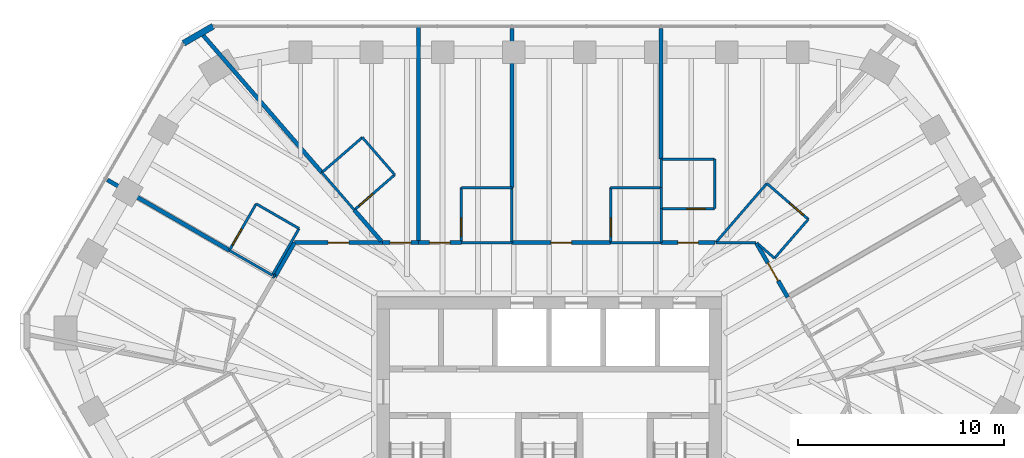
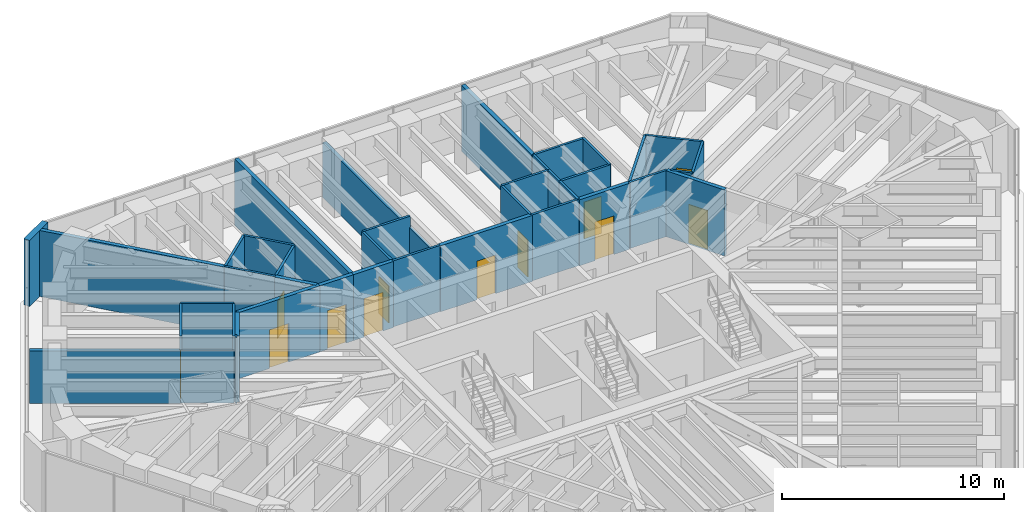
# One storey, part 12 of 14: 41 walls, 12 doors, 12 openings.
"""IFC4 building model written with IfcOpenShell, lengths in metres."""

from ifc_helpers import new_model, si_unit, direction, frame, frame_2d, origin, place, context, subcontext, project, spatial, rectangle, extrude, material, layer, layer_set, type_object, element, fill, save


model = new_model("IFC4")

# Units and contexts
model_context = context("Model", 3, precision=1e-05, world=origin(), true_north=direction((0.0, 1.0)))
body_context = subcontext(model_context, "Body", "Model", "MODEL_VIEW")
ifc_project = project(units=[si_unit("LENGTHUNIT", "METRE"), si_unit("AREAUNIT", "SQUARE_METRE"), si_unit("VOLUMEUNIT", "CUBIC_METRE"), si_unit("PLANEANGLEUNIT", "RADIAN"), si_unit("MASSUNIT", "GRAM", prefix="KILO")], contexts=[model_context])

# Site, building, storey
site_placement = place(None, origin())
site = spatial("IfcSite", under=ifc_project, at=site_placement, CompositionType="ELEMENT")
building_placement = place(site_placement, origin())
building = spatial("IfcBuilding", under=site, at=building_placement, Name="Sandreach Pilgrim Tower", CompositionType="ELEMENT")
storey_placement = place(building_placement, frame((0.0, 0.0, 287.39990234375)))
storey = spatial("IfcBuildingStorey", under=building, at=storey_placement, Name="L72", CompositionType="ELEMENT", Elevation=287.39990234375)

# Wall
ifc_material_1 = material(Name="Moisture-resistant gypsum board on steel studs", Category="steel")
ifc_layer_1 = layer(ifc_material_1, 0.1201171875)
ifc_layer_set_1 = layer_set([ifc_layer_1], Name="Bathroom partition 120")
wall_type_1 = type_object("IfcWallType", Name="Bathroom partition 120", PredefinedType="PARTITIONING", material=ifc_layer_set_1)
wall_1_placement = place(storey_placement, frame((-15.510009765625, 8.949951171875, 0.0), z_axis=(0.0, 0.0, 1.0), x_axis=(0.866202511239, -0.499693115345, 0.0)))
element("IfcWall", 1, at=wall_1_placement, inside=storey, type_object=wall_type_1, Name="Bathroom partition L72-014", PredefinedType="PARTITIONING", context=body_context, shape_type="SweptSolid", body=[
    extrude(rectangle(XDim=2.4013671875, YDim=0.1201171875, at=frame_2d((1.20068359375, 0.0))), origin(), (0.0, 0.0, 1.0), 2.878173828125),
])

# Wall, opening, door
wall_2_placement = place(storey_placement, frame((-14.2099609375, 11.2099609375, 0.0), z_axis=(0.0, 0.0, 1.0), x_axis=(-0.498627694264, -0.866816256489, 0.0)))
wall_2 = element("IfcWall", 2, at=wall_2_placement, inside=storey, type_object=wall_type_1, Name="Bathroom partition L72-021", PredefinedType="PARTITIONING", context=body_context, shape_type="SweptSolid", body=[
    extrude(rectangle(XDim=2.607177734375, YDim=0.1201171875, at=frame_2d((1.3037109375, 0.0))), origin(), (0.0, 0.0, 1.0), 3.64013671875),
])
opening_1_placement = place(wall_2_placement, frame((1.4072265625, 0.0, 0.0)))
opening_1 = element("IfcOpeningElement", 3, at=opening_1_placement, cuts=wall_2, Name="Opening D09-16B", PredefinedType="OPENING", context=body_context, shape_type="SweptSolid", body=[
    extrude(rectangle(XDim=0.89990234375, YDim=2.030029296875, at=frame_2d((0.449951171875, 1.01513671875))), frame((0.0, 0.06005859375, 0.0), z_axis=(0.0, -1.0, 0.0), x_axis=(1.0, 0.0, 0.0)), (0.0, 0.0, 1.0), 0.1201171875),
])
ifc_material_2 = material(Name="Timber door, steel frame", Category="steel")
door_type_1 = type_object("IfcDoorType", Name="Bathroom door", OperationType="SINGLE_SWING_LEFT", PredefinedType="DOOR", material=ifc_material_2)
door_1_placement = place(opening_1_placement, origin())
door_1 = element("IfcDoor", 4, at=door_1_placement, inside=storey, type_object=door_type_1, Name="Door 7216B", OperationType="SINGLE_SWING_RIGHT", OverallHeight=2.030029296875, OverallWidth=0.89990234375, PredefinedType="DOOR", context=body_context, shape_type="SweptSolid", body=[
    extrude(rectangle(XDim=0.89990234375, YDim=2.030029296875, at=frame_2d((0.449951171875, 1.01513671875))), frame((0.0, 0.02490234375, 0.0), z_axis=(0.0, -1.0, 0.0), x_axis=(1.0, 0.0, 0.0)), (0.0, 0.0, 1.0), 0.050048828125),
])
fill(opening_1, door_1)

# Walls
wall_3_placement = place(storey_placement, frame((-13.429931640625, 7.75, 0.0), z_axis=(0.0, 0.0, 1.0), x_axis=(0.498557331759, 0.866856728041, 0.0)))
element("IfcWall", 5, at=wall_3_placement, inside=storey, type_object=wall_type_1, Name="Bathroom partition L72-024", PredefinedType="PARTITIONING", context=body_context, shape_type="SweptSolid", body=[
    extrude(rectangle(XDim=2.607177734375, YDim=0.1201171875, at=frame_2d((1.3037109375, 0.0))), origin(), (0.0, 0.0, 1.0), 3.64013671875),
])
wall_4_placement = place(storey_placement, frame((-12.1298828125, 10.010009765625, 0.0), z_axis=(0.0, 0.0, 1.0), x_axis=(-0.866202511239, 0.499693115345, 0.0)))
element("IfcWall", 6, at=wall_4_placement, inside=storey, type_object=wall_type_1, Name="Bathroom partition L72-028", PredefinedType="PARTITIONING", context=body_context, shape_type="SweptSolid", body=[
    extrude(rectangle(XDim=2.4013671875, YDim=0.1201171875, at=frame_2d((1.20068359375, 0.0))), origin(), (0.0, 0.0, 1.0), 3.64013671875),
])
wall_5_placement = place(storey_placement, frame((-11.02197265625, 12.728271484375, 0.0), z_axis=(0.0, 0.0, 1.0), x_axis=(0.654005869514, -0.756489472921, 0.0)))
element("IfcWall", 7, at=wall_5_placement, inside=storey, type_object=wall_type_1, Name="Bathroom partition L72-032", PredefinedType="PARTITIONING", context=body_context, shape_type="SweptSolid", body=[
    extrude(rectangle(XDim=2.403564453125, YDim=0.1201171875, at=frame_2d((1.20166015625, 0.0))), origin(), (0.0, 0.0, 1.0), 3.64013671875),
])

# Wall, opening, door
wall_6_placement = place(storey_placement, frame((-9.449951171875, 10.909912109375, 0.0), z_axis=(0.0, 0.0, 1.0), x_axis=(0.753482987084, 0.657467404649, 0.0)))
wall_6 = element("IfcWall", 8, at=wall_6_placement, inside=storey, type_object=wall_type_1, Name="Bathroom partition L72-035", PredefinedType="PARTITIONING", context=body_context, shape_type="SweptSolid", body=[
    extrude(rectangle(XDim=2.601318359375, YDim=0.1201171875, at=frame_2d((1.30078125, 0.0))), origin(), (0.0, 0.0, 1.0), 3.64013671875),
])
opening_2_placement = place(wall_6_placement, frame((0.300048828125, 0.0, 0.0)))
opening_2 = element("IfcOpeningElement", 9, at=opening_2_placement, cuts=wall_6, Name="Opening D09-01B", PredefinedType="OPENING", context=body_context, shape_type="SweptSolid", body=[
    extrude(rectangle(XDim=0.89990234375, YDim=2.030029296875, at=frame_2d((0.449951171875, 1.01513671875))), frame((0.0, 0.06005859375, 0.0), z_axis=(0.0, -1.0, 0.0), x_axis=(1.0, 0.0, 0.0)), (0.0, 0.0, 1.0), 0.1201171875),
])
door_2_placement = place(opening_2_placement, origin())
door_2 = element("IfcDoor", 10, at=door_2_placement, inside=storey, type_object=door_type_1, Name="Door 7201B", OperationType="SINGLE_SWING_LEFT", OverallHeight=2.030029296875, OverallWidth=0.89990234375, PredefinedType="DOOR", context=body_context, shape_type="SweptSolid", body=[
    extrude(rectangle(XDim=0.89990234375, YDim=2.030029296875, at=frame_2d((0.449951171875, 1.01513671875))), frame((0.0, 0.02490234375, 0.0), z_axis=(0.0, -1.0, 0.0), x_axis=(1.0, 0.0, 0.0)), (0.0, 0.0, 1.0), 0.050048828125),
])
fill(opening_2, door_2)

# Walls
wall_7_placement = place(storey_placement, frame((-9.06005859375, 14.429931640625, 0.0), z_axis=(0.0, 0.0, 1.0), x_axis=(-0.755437535555, -0.655220672655, 0.0)))
element("IfcWall", 11, at=wall_7_placement, inside=storey, type_object=wall_type_1, Name="Bathroom partition L72-037", PredefinedType="PARTITIONING", context=body_context, shape_type="SweptSolid", body=[
    extrude(rectangle(XDim=2.594482421875, YDim=0.1201171875, at=frame_2d((1.29736328125, 0.0))), origin(), (0.0, 0.0, 1.0), 3.64013671875),
])
wall_8_placement = place(storey_placement, frame((-7.489990234375, 12.6201171875, 0.0), z_axis=(0.0, 0.0, 1.0), x_axis=(-0.655302876176, 0.755366229372, 0.0)))
element("IfcWall", 12, at=wall_8_placement, inside=storey, type_object=wall_type_1, Name="Bathroom partition L72-041", PredefinedType="PARTITIONING", context=body_context, shape_type="SweptSolid", body=[
    extrude(rectangle(XDim=2.39599609375, YDim=0.1201171875, at=frame_2d((1.197998046875, 0.0))), origin(), (0.0, 0.0, 1.0), 3.64013671875),
])
wall_9_placement = place(storey_placement, frame((-4.260009765625, 9.330078125, 0.0), z_axis=(0.0, 0.0, 1.0), x_axis=(1.0, 0.0, 0.0)))
element("IfcWall", 13, at=wall_9_placement, inside=storey, type_object=wall_type_1, Name="Bathroom partition L72-046", PredefinedType="PARTITIONING", context=body_context, shape_type="SweptSolid", body=[
    extrude(rectangle(XDim=2.449951171875, YDim=0.1201171875, at=frame_2d((1.22509765625, 0.0))), origin(), (0.0, 0.0, 1.0), 3.64013671875),
])

# Wall, opening, door
wall_10_placement = place(storey_placement, frame((-4.260009765625, 12.0, 0.0), z_axis=(0.0, 0.0, 1.0), x_axis=(0.0, -1.0, 0.0)))
wall_10 = element("IfcWall", 14, at=wall_10_placement, inside=storey, type_object=wall_type_1, Name="Bathroom partition L72-047", PredefinedType="PARTITIONING", context=body_context, shape_type="SweptSolid", body=[
    extrude(rectangle(XDim=2.669921875, YDim=0.1201171875, at=frame_2d((1.3349609375, 0.0))), origin(), (0.0, 0.0, 1.0), 3.64013671875),
])
opening_3_placement = place(wall_10_placement, frame((1.469970703125, 0.0, 0.0)))
opening_3 = element("IfcOpeningElement", 15, at=opening_3_placement, cuts=wall_10, Name="Opening D09-02B", PredefinedType="OPENING", context=body_context, shape_type="SweptSolid", body=[
    extrude(rectangle(XDim=0.89990234375, YDim=2.030029296875, at=frame_2d((0.449951171875, 1.01513671875))), frame((0.0, 0.06005859375, 0.0), z_axis=(0.0, -1.0, 0.0), x_axis=(1.0, 0.0, 0.0)), (0.0, 0.0, 1.0), 0.1201171875),
])
door_3_placement = place(opening_3_placement, origin())
door_3 = element("IfcDoor", 16, at=door_3_placement, inside=storey, type_object=door_type_1, Name="Door 7202B", OperationType="SINGLE_SWING_RIGHT", OverallHeight=2.030029296875, OverallWidth=0.89990234375, PredefinedType="DOOR", context=body_context, shape_type="SweptSolid", body=[
    extrude(rectangle(XDim=0.89990234375, YDim=2.030029296875, at=frame_2d((0.449951171875, 1.01513671875))), frame((0.0, 0.02490234375, 0.0), z_axis=(0.0, -1.0, 0.0), x_axis=(1.0, 0.0, 0.0)), (0.0, 0.0, 1.0), 0.050048828125),
])
fill(opening_3, door_3)

# Walls
wall_11_placement = place(storey_placement, frame((-1.81005859375, 12.0, 0.0), z_axis=(0.0, 0.0, 1.0), x_axis=(-1.0, 0.0, 0.0)))
element("IfcWall", 17, at=wall_11_placement, inside=storey, type_object=wall_type_1, Name="Bathroom partition L72-054", PredefinedType="PARTITIONING", context=body_context, shape_type="SweptSolid", body=[
    extrude(rectangle(XDim=2.449951171875, YDim=0.1201171875, at=frame_2d((1.22509765625, 0.0))), origin(), (0.0, 0.0, 1.0), 3.64013671875),
])
wall_12_placement = place(storey_placement, frame((-1.81005859375, 12.0, 0.0), z_axis=(0.0, 0.0, 1.0), x_axis=(0.0, -1.0, 0.0)))
element("IfcWall", 18, at=wall_12_placement, inside=storey, type_object=wall_type_1, Name="Bathroom partition L72-055", PredefinedType="PARTITIONING", context=body_context, shape_type="SweptSolid", body=[
    extrude(rectangle(XDim=2.669921875, YDim=0.1201171875, at=frame_2d((1.3349609375, 0.0))), origin(), (0.0, 0.0, 1.0), 3.02294921875),
])

# Wall, opening, door
wall_13_placement = place(storey_placement, frame((2.97998046875, 12.0, 0.0), z_axis=(0.0, 0.0, 1.0), x_axis=(0.0, -1.0, 0.0)))
wall_13 = element("IfcWall", 19, at=wall_13_placement, inside=storey, type_object=wall_type_1, Name="Bathroom partition L72-068", PredefinedType="PARTITIONING", context=body_context, shape_type="SweptSolid", body=[
    extrude(rectangle(XDim=2.669921875, YDim=0.1201171875, at=frame_2d((1.3349609375, 0.0))), origin(), (0.0, 0.0, 1.0), 3.64013671875),
])
opening_4_placement = place(wall_13_placement, frame((1.469970703125, 0.0, 0.0)))
opening_4 = element("IfcOpeningElement", 20, at=opening_4_placement, cuts=wall_13, Name="Opening D09-03B", PredefinedType="OPENING", context=body_context, shape_type="SweptSolid", body=[
    extrude(rectangle(XDim=0.89990234375, YDim=2.030029296875, at=frame_2d((0.449951171875, 1.01513671875))), frame((0.0, 0.06005859375, 0.0), z_axis=(0.0, -1.0, 0.0), x_axis=(1.0, 0.0, 0.0)), (0.0, 0.0, 1.0), 0.1201171875),
])
door_4_placement = place(opening_4_placement, origin())
door_4 = element("IfcDoor", 21, at=door_4_placement, inside=storey, type_object=door_type_1, Name="Door 7203B", OperationType="SINGLE_SWING_RIGHT", OverallHeight=2.030029296875, OverallWidth=0.89990234375, PredefinedType="DOOR", context=body_context, shape_type="SweptSolid", body=[
    extrude(rectangle(XDim=0.89990234375, YDim=2.030029296875, at=frame_2d((0.449951171875, 1.01513671875))), frame((0.0, 0.02490234375, 0.0), z_axis=(0.0, -1.0, 0.0), x_axis=(1.0, 0.0, 0.0)), (0.0, 0.0, 1.0), 0.050048828125),
])
fill(opening_4, door_4)

# Walls
wall_14_placement = place(storey_placement, frame((5.429931640625, 9.330078125, 0.0), z_axis=(0.0, 0.0, 1.0), x_axis=(-1.0, 0.0, 0.0)))
element("IfcWall", 22, at=wall_14_placement, inside=storey, type_object=wall_type_1, Name="Bathroom partition L72-074", PredefinedType="PARTITIONING", context=body_context, shape_type="SweptSolid", body=[
    extrude(rectangle(XDim=2.449951171875, YDim=0.1201171875, at=frame_2d((1.22509765625, 0.0))), origin(), (0.0, 0.0, 1.0), 3.64013671875),
])
wall_15_placement = place(storey_placement, frame((5.429931640625, 10.97998046875, 0.0), z_axis=(0.0, 0.0, 1.0), x_axis=(0.0, -1.0, 0.0)))
element("IfcWall", 23, at=wall_15_placement, inside=storey, type_object=wall_type_1, Name="Bathroom partition L72-075", PredefinedType="PARTITIONING", context=body_context, shape_type="SweptSolid", body=[
    extrude(rectangle(XDim=1.64990234375, YDim=0.1201171875, at=frame_2d((0.824951171875, 0.0))), origin(), (0.0, 0.0, 1.0), 3.64013671875),
])

# Wall, opening, door
wall_16_placement = place(storey_placement, frame((5.429931640625, 10.97998046875, 0.0), z_axis=(0.0, 0.0, 1.0), x_axis=(1.0, 0.0, 0.0)))
wall_16 = element("IfcWall", 24, at=wall_16_placement, inside=storey, type_object=wall_type_1, Name="Bathroom partition L72-076", PredefinedType="PARTITIONING", context=body_context, shape_type="SweptSolid", body=[
    extrude(rectangle(XDim=2.60009765625, YDim=0.1201171875, at=frame_2d((1.300048828125, 0.0))), origin(), (0.0, 0.0, 1.0), 3.64013671875),
])
opening_5_placement = place(wall_16_placement, frame((1.25, 0.0, 0.0)))
opening_5 = element("IfcOpeningElement", 25, at=opening_5_placement, cuts=wall_16, Name="Opening D09-04B", PredefinedType="OPENING", context=body_context, shape_type="SweptSolid", body=[
    extrude(rectangle(XDim=0.89990234375, YDim=2.030029296875, at=frame_2d((0.449951171875, 1.01513671875))), frame((0.0, 0.06005859375, 0.0), z_axis=(0.0, -1.0, 0.0), x_axis=(1.0, 0.0, 0.0)), (0.0, 0.0, 1.0), 0.1201171875),
])
door_5_placement = place(opening_5_placement, origin())
door_5 = element("IfcDoor", 26, at=door_5_placement, inside=storey, type_object=door_type_1, Name="Door 7204B", OperationType="SINGLE_SWING_RIGHT", OverallHeight=2.030029296875, OverallWidth=0.89990234375, PredefinedType="DOOR", context=body_context, shape_type="SweptSolid", body=[
    extrude(rectangle(XDim=0.89990234375, YDim=2.030029296875, at=frame_2d((0.449951171875, 1.01513671875))), frame((0.0, 0.02490234375, 0.0), z_axis=(0.0, -1.0, 0.0), x_axis=(1.0, 0.0, 0.0)), (0.0, 0.0, 1.0), 0.050048828125),
])
fill(opening_5, door_5)

# Walls
wall_17_placement = place(storey_placement, frame((5.429931640625, 12.0, 0.0), z_axis=(0.0, 0.0, 1.0), x_axis=(-1.0, 0.0, 0.0)))
element("IfcWall", 27, at=wall_17_placement, inside=storey, type_object=wall_type_1, Name="Bathroom partition L72-077", PredefinedType="PARTITIONING", context=body_context, shape_type="SweptSolid", body=[
    extrude(rectangle(XDim=2.449951171875, YDim=0.1201171875, at=frame_2d((1.22509765625, 0.0))), origin(), (0.0, 0.0, 1.0), 3.64013671875),
])
wall_18_placement = place(storey_placement, frame((5.429931640625, 12.0, 0.0), z_axis=(0.0, 0.0, 1.0), x_axis=(0.0, -1.0, 0.0)))
element("IfcWall", 28, at=wall_18_placement, inside=storey, type_object=wall_type_1, Name="Bathroom partition L72-078", PredefinedType="PARTITIONING", context=body_context, shape_type="SweptSolid", body=[
    extrude(rectangle(XDim=1.02001953125, YDim=0.1201171875, at=frame_2d((0.510009765625, 0.0))), origin(), (0.0, 0.0, 1.0), 3.64013671875),
])
wall_19_placement = place(storey_placement, frame((5.429931640625, 13.3798828125, 0.0), z_axis=(0.0, 0.0, 1.0), x_axis=(0.0, -1.0, 0.0)))
element("IfcWall", 29, at=wall_19_placement, inside=storey, type_object=wall_type_1, Name="Bathroom partition L72-079", PredefinedType="PARTITIONING", context=body_context, shape_type="SweptSolid", body=[
    extrude(rectangle(XDim=1.3798828125, YDim=0.1201171875, at=frame_2d((0.68994140625, 0.0))), origin(), (0.0, 0.0, 1.0), 3.64013671875),
])
wall_20_placement = place(storey_placement, frame((8.030029296875, 10.97998046875, 0.0), z_axis=(0.0, 0.0, 1.0), x_axis=(0.0, 1.0, 0.0)))
element("IfcWall", 30, at=wall_20_placement, inside=storey, type_object=wall_type_1, Name="Bathroom partition L72-090", PredefinedType="PARTITIONING", context=body_context, shape_type="SweptSolid", body=[
    extrude(rectangle(XDim=2.39990234375, YDim=0.1201171875, at=frame_2d((1.199951171875, 0.0))), origin(), (0.0, 0.0, 1.0), 3.64013671875),
])
wall_21_placement = place(storey_placement, frame((8.030029296875, 13.3798828125, 0.0), z_axis=(0.0, 0.0, 1.0), x_axis=(-1.0, 0.0, 0.0)))
element("IfcWall", 31, at=wall_21_placement, inside=storey, type_object=wall_type_1, Name="Bathroom partition L72-091", PredefinedType="PARTITIONING", context=body_context, shape_type="SweptSolid", body=[
    extrude(rectangle(XDim=2.60009765625, YDim=0.1201171875, at=frame_2d((1.300048828125, 0.0))), origin(), (0.0, 0.0, 1.0), 3.64013671875),
])
wall_22_placement = place(storey_placement, frame((8.080078125, 9.330078125, 0.0), z_axis=(0.0, 0.0, 1.0), x_axis=(0.653839376009, 0.756633379108, 0.0)))
element("IfcWall", 32, at=wall_22_placement, inside=storey, type_object=wall_type_1, Name="Bathroom partition L72-093", PredefinedType="PARTITIONING", context=body_context, shape_type="SweptSolid", body=[
    extrude(rectangle(XDim=3.79296875, YDim=0.1201171875, at=frame_2d((1.896484375, 0.0))), origin(), (0.0, 0.0, 1.0), 3.64013671875),
])
wall_23_placement = place(storey_placement, frame((10.0400390625, 9.330078125, 0.0), z_axis=(0.0, 0.0, 1.0), x_axis=(-1.0, 0.0, 0.0)))
element("IfcWall", 33, at=wall_23_placement, inside=storey, type_object=wall_type_1, Name="Bathroom partition L72-097", PredefinedType="PARTITIONING", context=body_context, shape_type="SweptSolid", body=[
    extrude(rectangle(XDim=1.93505859375, YDim=0.1201171875, at=frame_2d((0.967529296875, 0.0))), origin(), (0.0, 0.0, 1.0), 3.64013671875),
])
wall_24_placement = place(storey_placement, frame((10.1728515625, 9.231201171875, 0.0), z_axis=(0.0, 0.0, 1.0), x_axis=(0.753223340044, -0.657764851609, 0.0)))
element("IfcWall", 34, at=wall_24_placement, inside=storey, type_object=wall_type_1, Name="Bathroom partition L72-099", PredefinedType="PARTITIONING", context=body_context, shape_type="SweptSolid", body=[
    extrude(rectangle(XDim=1.005126953125, YDim=0.1201171875, at=frame_2d((0.50244140625, 0.0))), origin(), (0.0, 0.0, 1.0), 3.64013671875),
])
wall_25_placement = place(storey_placement, frame((10.929931640625, 8.570068359375, 0.0), z_axis=(0.0, 0.0, 1.0), x_axis=(0.655439261345, 0.755247889561, 0.0)))
element("IfcWall", 35, at=wall_25_placement, inside=storey, type_object=wall_type_1, Name="Bathroom partition L72-101", PredefinedType="PARTITIONING", context=body_context, shape_type="SweptSolid", body=[
    extrude(rectangle(XDim=2.50244140625, YDim=0.1201171875, at=frame_2d((1.251220703125, 0.0))), origin(), (0.0, 0.0, 1.0), 3.64013671875),
])

# Wall, opening, door
wall_26_placement = place(storey_placement, frame((12.570068359375, 10.4599609375, 0.0), z_axis=(0.0, 0.0, 1.0), x_axis=(-0.756064683054, 0.654496902238, 0.0)))
wall_26 = element("IfcWall", 36, at=wall_26_placement, inside=storey, type_object=wall_type_1, Name="Bathroom partition L72-105", PredefinedType="PARTITIONING", context=body_context, shape_type="SweptSolid", body=[
    extrude(rectangle(XDim=2.658447265625, YDim=0.1201171875, at=frame_2d((1.3291015625, 0.0))), origin(), (0.0, 0.0, 1.0), 3.64013671875),
])
opening_6_placement = place(wall_26_placement, frame((0.300048828125, 0.0, 0.0)))
opening_6 = element("IfcOpeningElement", 37, at=opening_6_placement, cuts=wall_26, Name="Opening D09-05B", PredefinedType="OPENING", context=body_context, shape_type="SweptSolid", body=[
    extrude(rectangle(XDim=0.89990234375, YDim=2.030029296875, at=frame_2d((0.449951171875, 1.01513671875))), frame((0.0, 0.06005859375, 0.0), z_axis=(0.0, -1.0, 0.0), x_axis=(1.0, 0.0, 0.0)), (0.0, 0.0, 1.0), 0.1201171875),
])
door_6_placement = place(opening_6_placement, origin())
door_6 = element("IfcDoor", 38, at=door_6_placement, inside=storey, type_object=door_type_1, Name="Door 7205B", OperationType="SINGLE_SWING_LEFT", OverallHeight=2.030029296875, OverallWidth=0.89990234375, PredefinedType="DOOR", context=body_context, shape_type="SweptSolid", body=[
    extrude(rectangle(XDim=0.89990234375, YDim=2.030029296875, at=frame_2d((0.449951171875, 1.01513671875))), frame((0.0, 0.02490234375, 0.0), z_axis=(0.0, -1.0, 0.0), x_axis=(1.0, 0.0, 0.0)), (0.0, 0.0, 1.0), 0.050048828125),
])
fill(opening_6, door_6)

# Wall
ifc_material_3 = material(Name="Gypsum board on steel studs, two layers each side", Category="steel")
ifc_layer_2 = layer(ifc_material_3, 0.199951171875)
ifc_layer_set_2 = layer_set([ifc_layer_2], Name="Corridor wall 200")
wall_type_2 = type_object("IfcWallType", Name="Corridor wall 200", PredefinedType="PARTITIONING", material=ifc_layer_set_2)
wall_27_placement = place(storey_placement, frame((-13.300048828125, 7.679931640625, 0.0), z_axis=(0.0, 0.0, 1.0), x_axis=(0.498911917133, 0.866652697996, 0.0)))
element("IfcWall", 39, at=wall_27_placement, inside=storey, type_object=wall_type_2, Name="Corridor wall L72-026", PredefinedType="PARTITIONING", context=body_context, shape_type="SweptSolid", body=[
    extrude(rectangle(XDim=1.904052734375, YDim=0.199951171875, at=frame_2d((0.9521484375, 0.0))), origin(), (0.0, 0.0, 1.0), 3.64013671875),
])

# Wall, opening, door
wall_28_placement = place(storey_placement, frame((-8.080078125, 9.330078125, 0.0), z_axis=(0.0, 0.0, 1.0), x_axis=(-1.0, 0.0, 0.0)))
wall_28 = element("IfcWall", 40, at=wall_28_placement, inside=storey, type_object=wall_type_2, Name="Corridor wall L72-040", PredefinedType="PARTITIONING", context=body_context, shape_type="SweptSolid", body=[
    extrude(rectangle(XDim=4.27001953125, YDim=0.199951171875, at=frame_2d((2.135009765625, 0.0))), origin(), (0.0, 0.0, 1.0), 3.64013671875),
])
opening_7_placement = place(wall_28_placement, frame((1.635009765625, 0.0, 0.0)))
opening_7 = element("IfcOpeningElement", 41, at=opening_7_placement, cuts=wall_28, Name="Opening D10-16", PredefinedType="OPENING", context=body_context, shape_type="SweptSolid", body=[
    extrude(rectangle(XDim=1.0, YDim=2.1298828125, at=frame_2d((0.5, 1.06494140625))), frame((0.0, 0.10009765625, 0.0), z_axis=(0.0, -1.0, 0.0), x_axis=(1.0, 0.0, 0.0)), (0.0, 0.0, 1.0), 0.199951171875),
])
ifc_material_4 = material(Name="Steel door and frame", Category="steel")
door_type_2 = type_object("IfcDoorType", Name="Guest room entry door", OperationType="SINGLE_SWING_LEFT", PredefinedType="DOOR", material=ifc_material_4)
door_7_placement = place(opening_7_placement, origin())
door_7 = element("IfcDoor", 42, at=door_7_placement, inside=storey, type_object=door_type_2, Name="Door 7216", OperationType="SINGLE_SWING_LEFT", OverallHeight=2.1298828125, OverallWidth=1.0, PredefinedType="DOOR", context=body_context, shape_type="SweptSolid", body=[
    extrude(rectangle(XDim=1.0, YDim=2.1298828125, at=frame_2d((0.5, 1.06494140625))), frame((0.0, 0.02490234375, 0.0), z_axis=(0.0, -1.0, 0.0), x_axis=(1.0, 0.0, 0.0)), (0.0, 0.0, 1.0), 0.050048828125),
])
fill(opening_7, door_7)

wall_29_placement = place(storey_placement, frame((-6.340087890625, 9.330078125, 0.0), z_axis=(0.0, 0.0, 1.0), x_axis=(-1.0, 0.0, 0.0)))
wall_29 = element("IfcWall", 43, at=wall_29_placement, inside=storey, type_object=wall_type_2, Name="Corridor wall L72-042", PredefinedType="PARTITIONING", context=body_context, shape_type="SweptSolid", body=[
    extrude(rectangle(XDim=1.739990234375, YDim=0.199951171875, at=frame_2d((0.8701171875, 0.0))), origin(), (0.0, 0.0, 1.0), 3.64013671875),
])
opening_8_placement = place(wall_29_placement, frame((0.3701171875, 0.0, 0.0)))
opening_8 = element("IfcOpeningElement", 44, at=opening_8_placement, cuts=wall_29, Name="Opening D10-01", PredefinedType="OPENING", context=body_context, shape_type="SweptSolid", body=[
    extrude(rectangle(XDim=1.0, YDim=2.1298828125, at=frame_2d((0.5, 1.06494140625))), frame((0.0, 0.10009765625, 0.0), z_axis=(0.0, -1.0, 0.0), x_axis=(1.0, 0.0, 0.0)), (0.0, 0.0, 1.0), 0.199951171875),
])
door_8_placement = place(opening_8_placement, origin())
door_8 = element("IfcDoor", 45, at=door_8_placement, inside=storey, type_object=door_type_2, Name="Door 7201", OperationType="SINGLE_SWING_LEFT", OverallHeight=2.1298828125, OverallWidth=1.0, PredefinedType="DOOR", context=body_context, shape_type="SweptSolid", body=[
    extrude(rectangle(XDim=1.0, YDim=2.1298828125, at=frame_2d((0.5, 1.06494140625))), frame((0.0, 0.02490234375, 0.0), z_axis=(0.0, -1.0, 0.0), x_axis=(1.0, 0.0, 0.0)), (0.0, 0.0, 1.0), 0.050048828125),
])
fill(opening_8, door_8)

wall_30_placement = place(storey_placement, frame((-4.260009765625, 9.330078125, 0.0), z_axis=(0.0, 0.0, 1.0), x_axis=(-1.0, 0.0, 0.0)))
wall_30 = element("IfcWall", 46, at=wall_30_placement, inside=storey, type_object=wall_type_2, Name="Corridor wall L72-045", PredefinedType="PARTITIONING", context=body_context, shape_type="SweptSolid", body=[
    extrude(rectangle(XDim=2.080078125, YDim=0.199951171875, at=frame_2d((1.0400390625, 0.0))), origin(), (0.0, 0.0, 1.0), 3.64013671875),
])
opening_9_placement = place(wall_30_placement, frame((0.5400390625, 0.0, 0.0)))
opening_9 = element("IfcOpeningElement", 47, at=opening_9_placement, cuts=wall_30, Name="Opening D10-02", PredefinedType="OPENING", context=body_context, shape_type="SweptSolid", body=[
    extrude(rectangle(XDim=1.0, YDim=2.1298828125, at=frame_2d((0.5, 1.06494140625))), frame((0.0, 0.10009765625, 0.0), z_axis=(0.0, -1.0, 0.0), x_axis=(1.0, 0.0, 0.0)), (0.0, 0.0, 1.0), 0.199951171875),
])
door_9_placement = place(opening_9_placement, origin())
door_9 = element("IfcDoor", 48, at=door_9_placement, inside=storey, type_object=door_type_2, Name="Door 7202", OperationType="SINGLE_SWING_LEFT", OverallHeight=2.1298828125, OverallWidth=1.0, PredefinedType="DOOR", context=body_context, shape_type="SweptSolid", body=[
    extrude(rectangle(XDim=1.0, YDim=2.1298828125, at=frame_2d((0.5, 1.06494140625))), frame((0.0, 0.02490234375, 0.0), z_axis=(0.0, -1.0, 0.0), x_axis=(1.0, 0.0, 0.0)), (0.0, 0.0, 1.0), 0.050048828125),
])
fill(opening_9, door_9)

wall_31_placement = place(storey_placement, frame((2.97998046875, 9.330078125, 0.0), z_axis=(0.0, 0.0, 1.0), x_axis=(-1.0, 0.0, 0.0)))
wall_31 = element("IfcWall", 49, at=wall_31_placement, inside=storey, type_object=wall_type_2, Name="Corridor wall L72-067", PredefinedType="PARTITIONING", context=body_context, shape_type="SweptSolid", body=[
    extrude(rectangle(XDim=4.7900390625, YDim=0.199951171875, at=frame_2d((2.39501953125, 0.0))), origin(), (0.0, 0.0, 1.0), 3.64013671875),
])
opening_10_placement = place(wall_31_placement, frame((1.89501953125, 0.0, 0.0)))
opening_10 = element("IfcOpeningElement", 50, at=opening_10_placement, cuts=wall_31, Name="Opening D10-03", PredefinedType="OPENING", context=body_context, shape_type="SweptSolid", body=[
    extrude(rectangle(XDim=1.0, YDim=2.1298828125, at=frame_2d((0.5, 1.06494140625))), frame((0.0, 0.10009765625, 0.0), z_axis=(0.0, -1.0, 0.0), x_axis=(1.0, 0.0, 0.0)), (0.0, 0.0, 1.0), 0.199951171875),
])
door_10_placement = place(opening_10_placement, origin())
door_10 = element("IfcDoor", 51, at=door_10_placement, inside=storey, type_object=door_type_2, Name="Door 7203", OperationType="SINGLE_SWING_LEFT", OverallHeight=2.1298828125, OverallWidth=1.0, PredefinedType="DOOR", context=body_context, shape_type="SweptSolid", body=[
    extrude(rectangle(XDim=1.0, YDim=2.1298828125, at=frame_2d((0.5, 1.06494140625))), frame((0.0, 0.02490234375, 0.0), z_axis=(0.0, -1.0, 0.0), x_axis=(1.0, 0.0, 0.0)), (0.0, 0.0, 1.0), 0.050048828125),
])
fill(opening_10, door_10)

wall_32_placement = place(storey_placement, frame((8.050048828125, 9.330078125, 0.0), z_axis=(0.0, 0.0, 1.0), x_axis=(-1.0, 0.0, 0.0)))
wall_32 = element("IfcWall", 52, at=wall_32_placement, inside=storey, type_object=wall_type_2, Name="Corridor wall L72-092", PredefinedType="PARTITIONING", context=body_context, shape_type="SweptSolid", body=[
    extrude(rectangle(XDim=2.6201171875, YDim=0.199951171875, at=frame_2d((1.31005859375, 0.0))), origin(), (0.0, 0.0, 1.0), 3.64013671875),
])
opening_11_placement = place(wall_32_placement, frame((0.81005859375, 0.0, 0.0)))
opening_11 = element("IfcOpeningElement", 53, at=opening_11_placement, cuts=wall_32, Name="Opening D10-04", PredefinedType="OPENING", context=body_context, shape_type="SweptSolid", body=[
    extrude(rectangle(XDim=1.0, YDim=2.1298828125, at=frame_2d((0.5, 1.06494140625))), frame((0.0, 0.10009765625, 0.0), z_axis=(0.0, -1.0, 0.0), x_axis=(1.0, 0.0, 0.0)), (0.0, 0.0, 1.0), 0.199951171875),
])
door_11_placement = place(opening_11_placement, origin())
door_11 = element("IfcDoor", 54, at=door_11_placement, inside=storey, type_object=door_type_2, Name="Door 7204", OperationType="SINGLE_SWING_LEFT", OverallHeight=2.1298828125, OverallWidth=1.0, PredefinedType="DOOR", context=body_context, shape_type="SweptSolid", body=[
    extrude(rectangle(XDim=1.0, YDim=2.1298828125, at=frame_2d((0.5, 1.06494140625))), frame((0.0, 0.02490234375, 0.0), z_axis=(0.0, -1.0, 0.0), x_axis=(1.0, 0.0, 0.0)), (0.0, 0.0, 1.0), 0.050048828125),
])
fill(opening_11, door_11)

wall_33_placement = place(storey_placement, frame((10.050048828125, 9.31005859375, 0.0), z_axis=(0.0, 0.0, 1.0), x_axis=(0.500374001214, -0.865809366379, 0.0)))
wall_33 = element("IfcWall", 55, at=wall_33_placement, inside=storey, type_object=wall_type_2, Name="Corridor wall L72-098", PredefinedType="PARTITIONING", context=body_context, shape_type="SweptSolid", body=[
    extrude(rectangle(XDim=3.037841796875, YDim=0.199951171875, at=frame_2d((1.51904296875, 0.0))), origin(), (0.0, 0.0, 1.0), 3.64013671875),
])
opening_12_placement = place(wall_33_placement, frame((1.118896484375, 0.0, 0.0)))
opening_12 = element("IfcOpeningElement", 56, at=opening_12_placement, cuts=wall_33, Name="Opening D10-05", PredefinedType="OPENING", context=body_context, shape_type="SweptSolid", body=[
    extrude(rectangle(XDim=1.0, YDim=2.1298828125, at=frame_2d((0.5, 1.06494140625))), frame((0.0, 0.10009765625, 0.0), z_axis=(0.0, -1.0, 0.0), x_axis=(1.0, 0.0, 0.0)), (0.0, 0.0, 1.0), 0.199951171875),
])
door_12_placement = place(opening_12_placement, origin())
door_12 = element("IfcDoor", 57, at=door_12_placement, inside=storey, type_object=door_type_2, Name="Door 7205", OperationType="SINGLE_SWING_RIGHT", OverallHeight=2.1298828125, OverallWidth=1.0, PredefinedType="DOOR", context=body_context, shape_type="SweptSolid", body=[
    extrude(rectangle(XDim=1.0, YDim=2.1298828125, at=frame_2d((0.5, 1.06494140625))), frame((0.0, 0.02490234375, 0.0), z_axis=(0.0, -1.0, 0.0), x_axis=(1.0, 0.0, 0.0)), (0.0, 0.0, 1.0), 0.050048828125),
])
fill(opening_12, door_12)

# Walls
ifc_material_5 = material(Name="Double steel stud acoustic wall, gypsum board", Category="steel")
ifc_layer_3 = layer(ifc_material_5, 0.199951171875)
ifc_layer_set_3 = layer_set([ifc_layer_3], Name="Party wall 200")
wall_type_3 = type_object("IfcWallType", Name="Party wall 200", PredefinedType="PARTITIONING", material=ifc_layer_set_3)
wall_34_placement = place(storey_placement, frame((-21.426025390625, 12.369873046875, 0.0), z_axis=(0.0, 0.0, 1.0), x_axis=(0.86575224659, -0.500472823962, 0.0)))
element("IfcWall", 58, at=wall_34_placement, inside=storey, type_object=wall_type_3, Name="Party wall L72-001", PredefinedType="PARTITIONING", context=body_context, shape_type="SweptSolid", body=[
    extrude(rectangle(XDim=6.83349609375, YDim=0.199951171875, at=frame_2d((3.416748046875, 0.0))), origin(), (0.0, 0.0, 1.0), 2.878173828125),
])
wall_35_placement = place(storey_placement, frame((-16.890380859375, 19.50732421875, 0.0), z_axis=(0.0, 0.0, 1.0), x_axis=(0.654499193584, -0.756062699515, 0.0)))
element("IfcWall", 59, at=wall_35_placement, inside=storey, type_object=wall_type_3, Name="Party wall L72-007", PredefinedType="PARTITIONING", context=body_context, shape_type="SweptSolid", body=[
    extrude(rectangle(XDim=8.96630859375, YDim=0.199951171875, at=frame_2d((4.483154296875, 0.0))), origin(), (0.0, 0.0, 1.0), 3.64013671875),
])
wall_36_placement = place(storey_placement, frame((-13.377197265625, 7.721435546875, 0.0), z_axis=(0.0, 0.0, 1.0), x_axis=(0.880650010303, -0.473767410606, 0.0)))
element("IfcWall", 60, at=wall_36_placement, inside=storey, type_object=wall_type_3, Name="Party wall L72-025", PredefinedType="PARTITIONING", context=body_context, shape_type="SweptSolid", body=[
    extrude(rectangle(XDim=0.087646484375, YDim=0.199951171875, at=frame_2d((0.0439453125, 0.0))), origin(), (0.0, 0.0, 1.0), 3.64013671875),
])
wall_37_placement = place(storey_placement, frame((-9.449951171875, 10.909912109375, 0.0), z_axis=(0.0, 0.0, 1.0), x_axis=(0.655103686609, -0.755538986282, 0.0)))
element("IfcWall", 61, at=wall_37_placement, inside=storey, type_object=wall_type_3, Name="Party wall L72-034", PredefinedType="PARTITIONING", context=body_context, shape_type="SweptSolid", body=[
    extrude(rectangle(XDim=1.986083984375, YDim=0.199951171875, at=frame_2d((0.9931640625, 0.0))), origin(), (0.0, 0.0, 1.0), 3.64013671875),
])
wall_38_placement = place(storey_placement, frame((-6.340087890625, 19.800048828125, 0.0), z_axis=(0.0, 0.0, 1.0), x_axis=(0.0, -1.0, 0.0)))
element("IfcWall", 62, at=wall_38_placement, inside=storey, type_object=wall_type_3, Name="Party wall L72-043", PredefinedType="PARTITIONING", context=body_context, shape_type="SweptSolid", body=[
    extrude(rectangle(XDim=10.455078125, YDim=0.199951171875, at=frame_2d((5.2275390625, 0.0))), origin(), (0.0, 0.0, 1.0), 3.64013671875),
])
wall_39_placement = place(storey_placement, frame((-1.81005859375, 19.7099609375, 0.0), z_axis=(0.0, 0.0, 1.0), x_axis=(0.0, -1.0, 0.0)))
element("IfcWall", 63, at=wall_39_placement, inside=storey, type_object=wall_type_3, Name="Party wall L72-056", PredefinedType="PARTITIONING", context=body_context, shape_type="SweptSolid", body=[
    extrude(rectangle(XDim=7.7099609375, YDim=0.199951171875, at=frame_2d((3.85498046875, 0.0))), origin(), (0.0, 0.0, 1.0), 3.02294921875),
])
wall_40_placement = place(storey_placement, frame((5.429931640625, 19.7099609375, 0.0), z_axis=(0.0, 0.0, 1.0), x_axis=(0.0, -1.0, 0.0)))
element("IfcWall", 64, at=wall_40_placement, inside=storey, type_object=wall_type_3, Name="Party wall L72-080", PredefinedType="PARTITIONING", context=body_context, shape_type="SweptSolid", body=[
    extrude(rectangle(XDim=6.330078125, YDim=0.199951171875, at=frame_2d((3.1650390625, 0.0))), origin(), (0.0, 0.0, 1.0), 3.64013671875),
])
ifc_material_6 = material(Name="Terracotta rainscreen on concrete", Category="masonry")
ifc_layer_4 = layer(ifc_material_6, 0.300048828125)
ifc_layer_set_4 = layer_set([ifc_layer_4], Name="Terracotta chamfer pier")
wall_type_4 = type_object("IfcWallType", Name="Terracotta chamfer pier", PredefinedType="SOLIDWALL", material=ifc_layer_set_4)
wall_41_placement = place(storey_placement, frame((-17.736083984375, 18.996337890625, 0.0), z_axis=(0.0, 0.0, 1.0), x_axis=(0.866026405774, 0.499998264499, 0.0)))
element("IfcWall", 65, at=wall_41_placement, inside=storey, type_object=wall_type_4, Name="Chamfer pier L72 NW", PredefinedType="SOLIDWALL", context=body_context, shape_type="SweptSolid", body=[
    extrude(rectangle(XDim=1.66015625, YDim=0.300048828125, at=frame_2d((0.830078125, 0.0))), origin(), (0.0, 0.0, 1.0), 3.64013671875),
])

save(model, "model.ifc")
